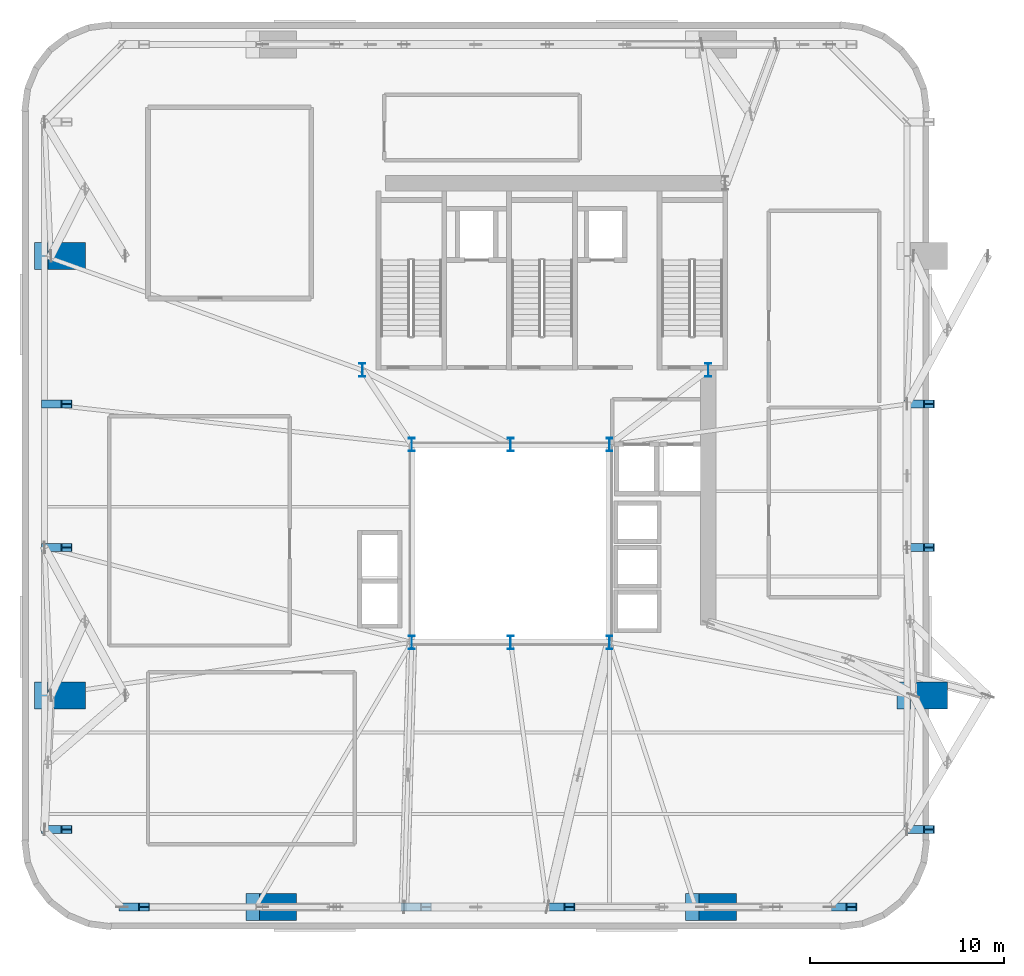
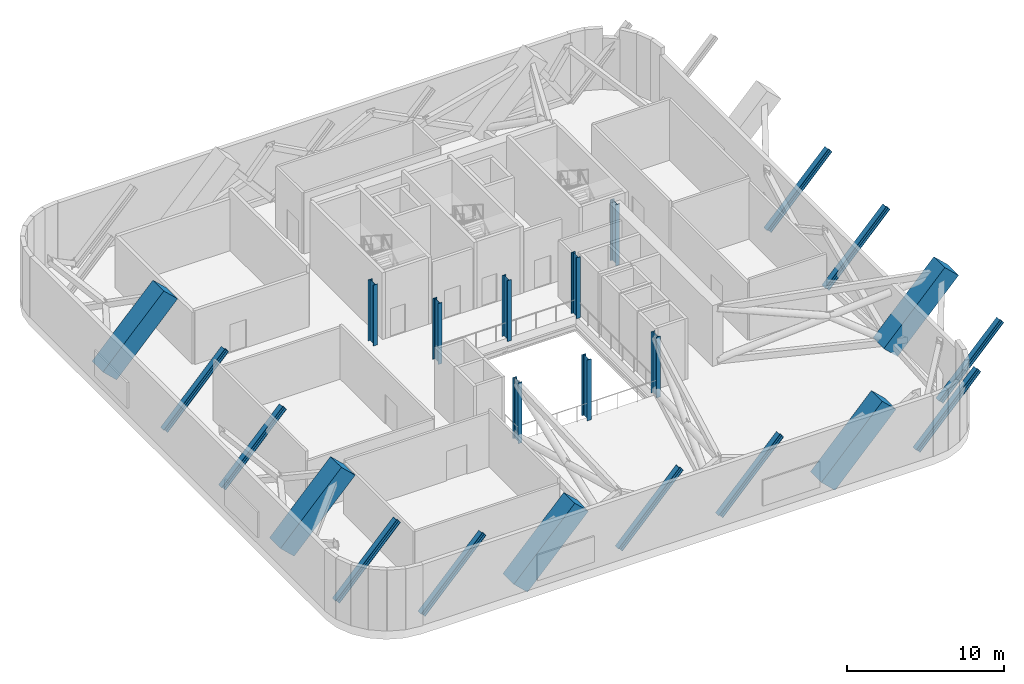
# One storey, part 1 of 14: 23 columns.
"""IFC4 building model written with IfcOpenShell, lengths in metres."""

from ifc_helpers import new_model, si_unit, direction, frame, origin, origin_2d, place, context, subcontext, project, spatial, rectangle, i_section, extrude, source, transform, mapped, material, material_profile, profile_set, type_object, element, save


model = new_model("IFC4")

# Units and contexts
model_context = context("Model", 3, precision=1e-05, world=origin(), true_north=direction((0.0, 1.0)))
body_context = subcontext(model_context, "Body", "Model", "MODEL_VIEW")
ifc_project = project(units=[si_unit("LENGTHUNIT", "METRE"), si_unit("AREAUNIT", "SQUARE_METRE"), si_unit("VOLUMEUNIT", "CUBIC_METRE"), si_unit("PLANEANGLEUNIT", "RADIAN"), si_unit("MASSUNIT", "GRAM", prefix="KILO")], contexts=[model_context])

# Site, building, storey
site_placement = place(None, origin())
site = spatial("IfcSite", under=ifc_project, at=site_placement, CompositionType="ELEMENT")
building_placement = place(site_placement, origin())
building = spatial("IfcBuilding", under=site, at=building_placement, Name="Vardaveli Station Tower", CompositionType="ELEMENT")
storey_placement = place(building_placement, frame((0.0, 0.0, 237.300048828125)))
storey = spatial("IfcBuildingStorey", under=building, at=storey_placement, Name="L61", CompositionType="ELEMENT", Elevation=237.300048828125)

# Columns
ifc_material_1 = material(Name="Structural steel S460M", Category="steel")
ifc_material_profile_1 = material_profile(ifc_material_1, i_section(OverallWidth=0.300048828125, OverallDepth=0.699951171875, WebThickness=0.01708984375, FlangeThickness=0.031982421875, FilletRadius=0.027099609375, at=origin_2d()), Name="HEB 700")
ifc_profile_set_1 = profile_set([ifc_material_profile_1], Name="Structural steel S460M")
column_type_1 = type_object("IfcColumnType", Name="COL-HEB700", PredefinedType="COLUMN", material=ifc_profile_set_1)
shared_shape_1 = source(origin(), body_context, "Body", "SweptSolid", [
    extrude(i_section(OverallWidth=0.300048828125, OverallDepth=0.699951171875, WebThickness=0.01708984375, FlangeThickness=0.031982421875, FilletRadius=0.027099609375, at=origin_2d()), origin(), (0.0, 0.0, 1.0), 4.75),
])
for number, where, z_axis, x_axis, name in (
    (1, (31.199951171875, 16.60009765625, 0.0), (0.0, 0.0, 1.0), (1.0, 0.0, 0.0), "COL-L61-AC1"),
    (2, (36.300048828125, 16.60009765625, 0.0), (0.0, 0.0, 1.0), (1.0, 0.0, 0.0), "COL-L61-AC2"),
    (3, (41.39990234375, 16.60009765625, 0.0), (0.0, 0.0, 1.0), (1.0, 0.0, 0.0), "COL-L61-AC3"),
    (4, (41.39990234375, 26.800048828125, 0.0), (0.0, 0.0, 1.0), (1.0, 0.0, 0.0), "COL-L61-AC4"),
    (5, (36.300048828125, 26.800048828125, 0.0), (0.0, 0.0, 1.0), (1.0, 0.0, 0.0), "COL-L61-AC5"),
    (6, (31.199951171875, 26.800048828125, 0.0), (0.0, 0.0, 1.0), (1.0, 0.0, 0.0), "COL-L61-AC6"),
    (7, (28.64990234375, 30.64990234375, 0.0), (0.0, 0.0, 1.0), (1.0, 0.0, 0.0), "COL-L61-CC1"),
    (8, (46.5, 30.64990234375, 0.0), (0.0, 0.0, 1.0), (1.0, 0.0, 0.0), "COL-L61-CC2"),
):
    element("IfcColumn", number, at=place(storey_placement, frame(where, z_axis=z_axis, x_axis=x_axis)), inside=storey, type_object=column_type_1, Name=name, PredefinedType="COLUMN", context=body_context, shape_type="MappedRepresentation", body=[
        mapped(shared_shape_1, transform((0.0, 0.0, 0.0), scale=1.0)),
    ])
ifc_material_2 = material(Name="Concrete C50/60", Category="concrete")
ifc_material_profile_2 = material_profile(ifc_material_2, rectangle(XDim=1.39990234375, YDim=1.39990234375, at=origin_2d()), Name="MC 1400x1400")
ifc_profile_set_2 = profile_set([ifc_material_profile_2], Name="Concrete C50/60")
column_type_2 = type_object("IfcColumnType", Name="COL-MC-1400", PredefinedType="COLUMN", material=ifc_profile_set_2)
shared_shape_2 = source(origin(), body_context, "Body", "SweptSolid", [
    extrude(rectangle(XDim=1.39990234375, YDim=1.39990234375, at=origin_2d()), origin(), (0.0, 0.0, 1.0), 6.543212890625),
])
for number, where, z_axis, x_axis, name in (
    (9, (23.159912109375, 2.949951171875, 0.0), (0.687744647911, 0.0, 0.725952683906), (0.0, 1.0, 0.0), "COL-L61-MC1"),
    (10, (45.840087890625, 2.949951171875, 0.0), (0.687744647911, 0.0, 0.725952683906), (0.0, 1.0, 0.0), "COL-L61-MC2"),
    (11, (56.75, 13.860107421875, 0.0), (0.687744647911, 0.0, 0.725952683906), (0.0, 1.0, 0.0), "COL-L61-MC3"),
    (12, (12.25, 36.5400390625, 0.0), (0.687744647911, 0.0, 0.725952683906), (0.0, 1.0, 0.0), "COL-L61-MC7"),
    (13, (12.25, 13.860107421875, 0.0), (0.687744647911, 0.0, 0.725952683906), (0.0, 1.0, 0.0), "COL-L61-MC8"),
):
    element("IfcColumn", number, at=place(storey_placement, frame(where, z_axis=z_axis, x_axis=x_axis)), inside=storey, type_object=column_type_2, Name=name, PredefinedType="COLUMN", context=body_context, shape_type="MappedRepresentation", body=[
        mapped(shared_shape_2, transform((0.0, 0.0, 0.0), scale=1.0)),
    ])
ifc_material_profile_3 = material_profile(ifc_material_1, i_section(OverallWidth=0.408935546875, OverallDepth=0.4169921875, WebThickness=0.021240234375, FlangeThickness=0.033203125, FilletRadius=0.014892578125, at=origin_2d()), Name="HD 400x347")
ifc_profile_set_3 = profile_set([ifc_material_profile_3], Name="Structural steel S460M")
column_type_3 = type_object("IfcColumnType", Name="COL-HD347", PredefinedType="COLUMN", material=ifc_profile_set_3)
shared_shape_3 = source(origin(), body_context, "Body", "SweptSolid", [
    extrude(i_section(OverallWidth=0.408935546875, OverallDepth=0.4169921875, WebThickness=0.021240234375, FlangeThickness=0.033203125, FilletRadius=0.014892578125, at=origin_2d()), origin(), (0.0, 0.0, 1.0), 6.543212890625),
])
for number, where, z_axis, x_axis, name in (
    (14, (16.25, 2.949951171875, 0.0), (0.687744647911, 0.0, 0.725952683906), (0.0, 1.0, 0.0), "COL-L61-PC01"),
    (15, (30.800048828125, 2.949951171875, 0.0), (0.687744647911, 0.0, 0.725952683906), (0.0, 1.0, 0.0), "COL-L61-PC02"),
    (16, (38.199951171875, 2.949951171875, 0.0), (0.687744647911, 0.0, 0.725952683906), (0.0, 1.0, 0.0), "COL-L61-PC03"),
    (17, (52.75, 2.949951171875, 0.0), (0.687744647911, 0.0, 0.725952683906), (0.0, 1.0, 0.0), "COL-L61-PC04"),
    (18, (56.75, 6.949951171875, 0.0), (0.687744647911, 0.0, 0.725952683906), (0.0, 1.0, 0.0), "COL-L61-PC05"),
    (19, (56.75, 21.5, 0.0), (0.687744647911, 0.0, 0.725952683906), (0.0, 1.0, 0.0), "COL-L61-PC06"),
    (20, (56.75, 28.89990234375, 0.0), (0.687744647911, 0.0, 0.725952683906), (0.0, 1.0, 0.0), "COL-L61-PC07"),
    (21, (12.25, 28.89990234375, 0.0), (0.687744647911, 0.0, 0.725952683906), (0.0, 1.0, 0.0), "COL-L61-PC14"),
    (22, (12.25, 21.5, 0.0), (0.687744647911, 0.0, 0.725952683906), (0.0, 1.0, 0.0), "COL-L61-PC15"),
    (23, (12.25, 6.949951171875, 0.0), (0.687744647911, 0.0, 0.725952683906), (0.0, 1.0, 0.0), "COL-L61-PC16"),
):
    element("IfcColumn", number, at=place(storey_placement, frame(where, z_axis=z_axis, x_axis=x_axis)), inside=storey, type_object=column_type_3, Name=name, PredefinedType="COLUMN", context=body_context, shape_type="MappedRepresentation", body=[
        mapped(shared_shape_3, transform((0.0, 0.0, 0.0), scale=1.0)),
    ])

save(model, "model.ifc")
